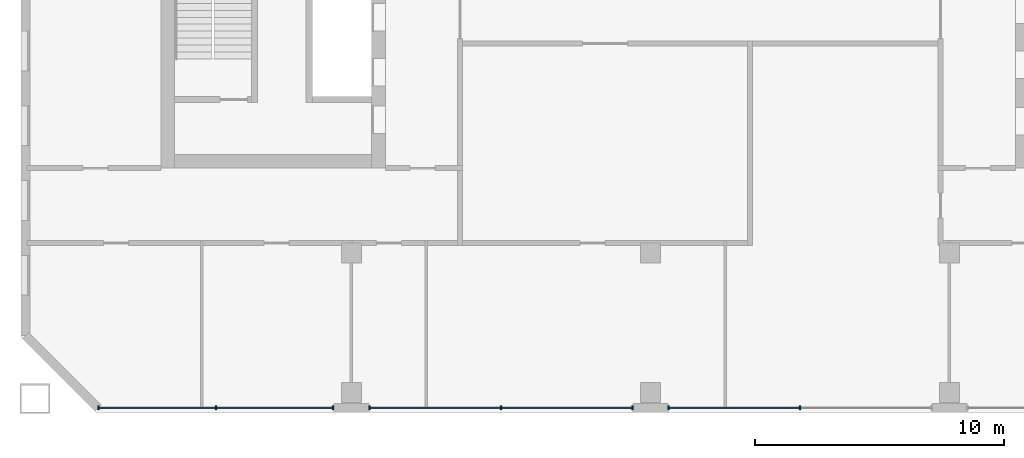
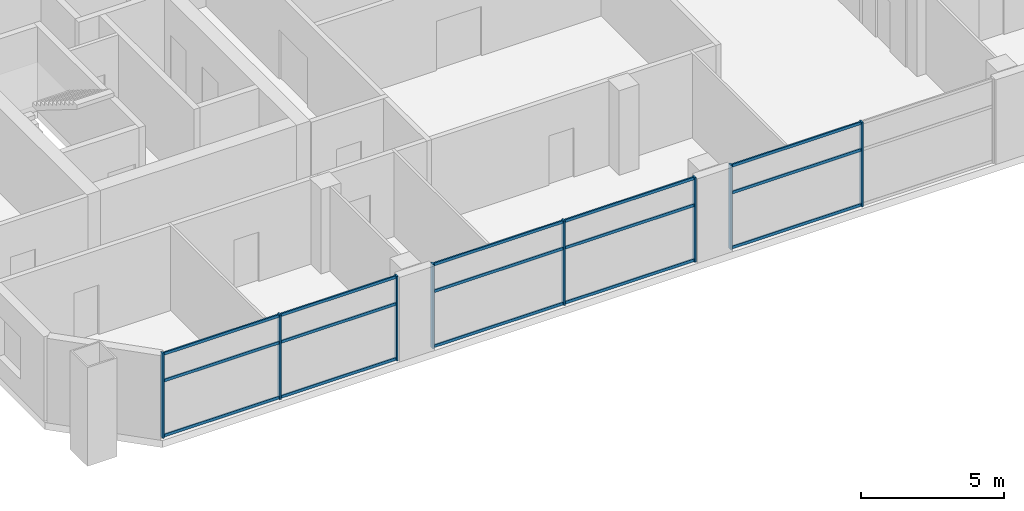
# One storey, part 2 of 17: 23 members, 3 elements without a shape of their own.
"""IFC4 building model written with IfcOpenShell, lengths in metres."""

from ifc_helpers import new_model, si_unit, direction, frame, origin, origin_2d, place, context, subcontext, project, spatial, rectangle, extrude, material, material_profile, profile_set, type_object, element, aggregate, save


model = new_model("IFC4")

# Units and contexts
model_context = context("Model", 3, precision=1e-05, world=origin(), true_north=direction((0.0, 1.0)))
body_context = subcontext(model_context, "Body", "Model", "MODEL_VIEW")
ifc_project = project(units=[si_unit("LENGTHUNIT", "METRE"), si_unit("AREAUNIT", "SQUARE_METRE"), si_unit("VOLUMEUNIT", "CUBIC_METRE"), si_unit("PLANEANGLEUNIT", "RADIAN"), si_unit("MASSUNIT", "GRAM", prefix="KILO")], contexts=[model_context])

# Site, building, storey
site_placement = place(None, origin())
site = spatial("IfcSite", under=ifc_project, at=site_placement, CompositionType="ELEMENT")
building_placement = place(site_placement, origin())
building = spatial("IfcBuilding", under=site, at=building_placement, Name="Tuart Gate Housing", CompositionType="ELEMENT")
storey_placement = place(building_placement, frame((0.0, 0.0, 119.5)))
storey = spatial("IfcBuildingStorey", under=building, at=storey_placement, Name="L33", CompositionType="ELEMENT", Elevation=119.5)

# Curtain wall, members
ifc_material_1 = material(Name="Aluminium and clear glass", Category="aluminium")
curtain_wall_type = type_object("IfcCurtainWallType", Name="Community floor glazing", PredefinedType="USERDEFINED", material=ifc_material_1)
curtain_wall_1_placement = place(storey_placement, origin())
curtain_wall_1 = element("IfcCurtainWall", 1, at=curtain_wall_1_placement, inside=storey, type_object=curtain_wall_type, Name="Community floor glazing A-S L33", ObjectType="COMMUNITY FLOOR GLAZING", PredefinedType="USERDEFINED")
ifc_material_2 = material(Name="Anodised aluminium", Category="aluminium")
ifc_material_profile_1 = material_profile(ifc_material_2, rectangle(XDim=0.06005859375, YDim=0.159912109375, at=origin_2d()), Name="60x160")
ifc_profile_set_1 = profile_set([ifc_material_profile_1], Name="Anodised aluminium")
member_type_1 = type_object("IfcMemberType", Name="Mullion 60 x 160", PredefinedType="MULLION", material=ifc_profile_set_1)
member_1_placement = place(storey_placement, frame((29.8544921875, 54.179931640625, 0.0), z_axis=(0.0, 0.0, 1.0), x_axis=(1.0, 0.0, 0.0)))
member_1 = element("IfcMember", 2, at=member_1_placement, type_object=member_type_1, Name="CW3 mullion 1", PredefinedType="MULLION", context=body_context, shape_type="SweptSolid", body=[
    extrude(rectangle(XDim=0.06005859375, YDim=0.159912109375, at=origin_2d()), origin(), (0.0, 0.0, 1.0), 3.60009765625),
])
member_2_placement = place(storey_placement, frame((34.562255859375, 54.179931640625, 0.0), z_axis=(0.0, 0.0, 1.0), x_axis=(1.0, 0.0, 0.0)))
member_2 = element("IfcMember", 3, at=member_2_placement, type_object=member_type_1, Name="CW3 mullion 2", PredefinedType="MULLION", context=body_context, shape_type="SweptSolid", body=[
    extrude(rectangle(XDim=0.06005859375, YDim=0.159912109375, at=origin_2d()), origin(), (0.0, 0.0, 1.0), 3.60009765625),
])
member_3_placement = place(storey_placement, frame((39.27001953125, 54.179931640625, 0.0), z_axis=(0.0, 0.0, 1.0), x_axis=(1.0, 0.0, 0.0)))
member_3 = element("IfcMember", 4, at=member_3_placement, type_object=member_type_1, Name="CW3 mullion 3", PredefinedType="MULLION", context=body_context, shape_type="SweptSolid", body=[
    extrude(rectangle(XDim=0.06005859375, YDim=0.159912109375, at=origin_2d()), origin(), (0.0, 0.0, 1.0), 3.60009765625),
])

curtain_wall_2_placement = place(storey_placement, origin())
curtain_wall_2 = element("IfcCurtainWall", 5, at=curtain_wall_2_placement, inside=storey, type_object=curtain_wall_type, Name="Community floor glazing A-S L33", ObjectType="COMMUNITY FLOOR GLAZING", PredefinedType="USERDEFINED")
member_4_placement = place(storey_placement, frame((40.72998046875, 54.179931640625, 0.0), z_axis=(0.0, 0.0, 1.0), x_axis=(1.0, 0.0, 0.0)))
member_4 = element("IfcMember", 6, at=member_4_placement, type_object=member_type_1, Name="CW3 mullion 1", PredefinedType="MULLION", context=body_context, shape_type="SweptSolid", body=[
    extrude(rectangle(XDim=0.06005859375, YDim=0.159912109375, at=origin_2d()), origin(), (0.0, 0.0, 1.0), 3.60009765625),
])
member_5_placement = place(storey_placement, frame((46.0, 54.179931640625, 0.0), z_axis=(0.0, 0.0, 1.0), x_axis=(1.0, 0.0, 0.0)))
member_5 = element("IfcMember", 7, at=member_5_placement, type_object=member_type_1, Name="CW3 mullion 2", PredefinedType="MULLION", context=body_context, shape_type="SweptSolid", body=[
    extrude(rectangle(XDim=0.06005859375, YDim=0.159912109375, at=origin_2d()), origin(), (0.0, 0.0, 1.0), 3.60009765625),
])
member_6_placement = place(storey_placement, frame((51.27001953125, 54.179931640625, 0.0), z_axis=(0.0, 0.0, 1.0), x_axis=(1.0, 0.0, 0.0)))
member_6 = element("IfcMember", 8, at=member_6_placement, type_object=member_type_1, Name="CW3 mullion 3", PredefinedType="MULLION", context=body_context, shape_type="SweptSolid", body=[
    extrude(rectangle(XDim=0.06005859375, YDim=0.159912109375, at=origin_2d()), origin(), (0.0, 0.0, 1.0), 3.60009765625),
])

curtain_wall_3_placement = place(storey_placement, origin())
curtain_wall_3 = element("IfcCurtainWall", 9, at=curtain_wall_3_placement, inside=storey, type_object=curtain_wall_type, Name="Community floor glazing A-S L33", ObjectType="COMMUNITY FLOOR GLAZING", PredefinedType="USERDEFINED")
member_7_placement = place(storey_placement, frame((52.72998046875, 54.179931640625, 0.0), z_axis=(0.0, 0.0, 1.0), x_axis=(1.0, 0.0, 0.0)))
member_7 = element("IfcMember", 10, at=member_7_placement, type_object=member_type_1, Name="CW3 mullion 1", PredefinedType="MULLION", context=body_context, shape_type="SweptSolid", body=[
    extrude(rectangle(XDim=0.06005859375, YDim=0.159912109375, at=origin_2d()), origin(), (0.0, 0.0, 1.0), 3.60009765625),
])
member_8_placement = place(storey_placement, frame((58.0, 54.179931640625, 0.0), z_axis=(0.0, 0.0, 1.0), x_axis=(1.0, 0.0, 0.0)))
member_8 = element("IfcMember", 11, at=member_8_placement, type_object=member_type_1, Name="CW3 mullion 2", PredefinedType="MULLION", context=body_context, shape_type="SweptSolid", body=[
    extrude(rectangle(XDim=0.06005859375, YDim=0.159912109375, at=origin_2d()), origin(), (0.0, 0.0, 1.0), 3.60009765625),
])

# Member
ifc_material_3 = material(Name="Anodised aluminium", Category="aluminium")
ifc_material_profile_2 = material_profile(ifc_material_3, rectangle(XDim=0.06005859375, YDim=0.1201171875, at=origin_2d()), Name="60x120")
ifc_profile_set_2 = profile_set([ifc_material_profile_2], Name="Anodised aluminium")
member_type_2 = type_object("IfcMemberType", Name="Transom 60 x 120", PredefinedType="USERDEFINED", material=ifc_profile_set_2)
member_9_placement = place(storey_placement, frame((29.884521484375, 54.179931640625, 0.06005859375), z_axis=(1.0, 0.0, 0.0), x_axis=(0.0, 1.0, 0.0)))
member_9 = element("IfcMember", 12, at=member_9_placement, type_object=member_type_2, Name="CW3 transom 1.1", ObjectType="TRANSOM", PredefinedType="USERDEFINED", context=body_context, shape_type="SweptSolid", body=[
    extrude(rectangle(XDim=0.06005859375, YDim=0.1201171875, at=origin_2d()), origin(), (0.0, 0.0, 1.0), 4.647705078125),
])

member_10_placement = place(storey_placement, frame((29.884521484375, 54.179931640625, 2.39990234375), z_axis=(1.0, 0.0, 0.0), x_axis=(0.0, 1.0, 0.0)))
member_10 = element("IfcMember", 13, at=member_10_placement, type_object=member_type_2, Name="CW3 transom 1.2", ObjectType="TRANSOM", PredefinedType="USERDEFINED", context=body_context, shape_type="SweptSolid", body=[
    extrude(rectangle(XDim=0.06005859375, YDim=0.1201171875, at=origin_2d()), origin(), (0.0, 0.0, 1.0), 4.647705078125),
])

member_11_placement = place(storey_placement, frame((29.884521484375, 54.179931640625, 3.5400390625), z_axis=(1.0, 0.0, 0.0), x_axis=(0.0, 1.0, 0.0)))
member_11 = element("IfcMember", 14, at=member_11_placement, type_object=member_type_2, Name="CW3 transom 1.3", ObjectType="TRANSOM", PredefinedType="USERDEFINED", context=body_context, shape_type="SweptSolid", body=[
    extrude(rectangle(XDim=0.06005859375, YDim=0.1201171875, at=origin_2d()), origin(), (0.0, 0.0, 1.0), 4.647705078125),
])

member_12_placement = place(storey_placement, frame((34.59228515625, 54.179931640625, 0.06005859375), z_axis=(1.0, 0.0, 0.0), x_axis=(0.0, 1.0, 0.0)))
member_12 = element("IfcMember", 15, at=member_12_placement, type_object=member_type_2, Name="CW3 transom 2.1", ObjectType="TRANSOM", PredefinedType="USERDEFINED", context=body_context, shape_type="SweptSolid", body=[
    extrude(rectangle(XDim=0.06005859375, YDim=0.1201171875, at=origin_2d()), origin(), (0.0, 0.0, 1.0), 4.647705078125),
])

member_13_placement = place(storey_placement, frame((34.59228515625, 54.179931640625, 2.39990234375), z_axis=(1.0, 0.0, 0.0), x_axis=(0.0, 1.0, 0.0)))
member_13 = element("IfcMember", 16, at=member_13_placement, type_object=member_type_2, Name="CW3 transom 2.2", ObjectType="TRANSOM", PredefinedType="USERDEFINED", context=body_context, shape_type="SweptSolid", body=[
    extrude(rectangle(XDim=0.06005859375, YDim=0.1201171875, at=origin_2d()), origin(), (0.0, 0.0, 1.0), 4.647705078125),
])

member_14_placement = place(storey_placement, frame((34.59228515625, 54.179931640625, 3.5400390625), z_axis=(1.0, 0.0, 0.0), x_axis=(0.0, 1.0, 0.0)))
member_14 = element("IfcMember", 17, at=member_14_placement, type_object=member_type_2, Name="CW3 transom 2.3", ObjectType="TRANSOM", PredefinedType="USERDEFINED", context=body_context, shape_type="SweptSolid", body=[
    extrude(rectangle(XDim=0.06005859375, YDim=0.1201171875, at=origin_2d()), origin(), (0.0, 0.0, 1.0), 4.647705078125),
])

aggregate(curtain_wall_1, [member_1, member_2, member_3, member_9, member_10, member_11, member_12, member_13, member_14])

member_15_placement = place(storey_placement, frame((40.760009765625, 54.179931640625, 0.06005859375), z_axis=(1.0, 0.0, 0.0), x_axis=(0.0, 1.0, 0.0)))
member_15 = element("IfcMember", 18, at=member_15_placement, type_object=member_type_2, Name="CW3 transom 1.1", ObjectType="TRANSOM", PredefinedType="USERDEFINED", context=body_context, shape_type="SweptSolid", body=[
    extrude(rectangle(XDim=0.06005859375, YDim=0.1201171875, at=origin_2d()), origin(), (0.0, 0.0, 1.0), 5.2099609375),
])

member_16_placement = place(storey_placement, frame((40.760009765625, 54.179931640625, 2.39990234375), z_axis=(1.0, 0.0, 0.0), x_axis=(0.0, 1.0, 0.0)))
member_16 = element("IfcMember", 19, at=member_16_placement, type_object=member_type_2, Name="CW3 transom 1.2", ObjectType="TRANSOM", PredefinedType="USERDEFINED", context=body_context, shape_type="SweptSolid", body=[
    extrude(rectangle(XDim=0.06005859375, YDim=0.1201171875, at=origin_2d()), origin(), (0.0, 0.0, 1.0), 5.2099609375),
])

member_17_placement = place(storey_placement, frame((40.760009765625, 54.179931640625, 3.5400390625), z_axis=(1.0, 0.0, 0.0), x_axis=(0.0, 1.0, 0.0)))
member_17 = element("IfcMember", 20, at=member_17_placement, type_object=member_type_2, Name="CW3 transom 1.3", ObjectType="TRANSOM", PredefinedType="USERDEFINED", context=body_context, shape_type="SweptSolid", body=[
    extrude(rectangle(XDim=0.06005859375, YDim=0.1201171875, at=origin_2d()), origin(), (0.0, 0.0, 1.0), 5.2099609375),
])

member_18_placement = place(storey_placement, frame((46.030029296875, 54.179931640625, 0.06005859375), z_axis=(1.0, 0.0, 0.0), x_axis=(0.0, 1.0, 0.0)))
member_18 = element("IfcMember", 21, at=member_18_placement, type_object=member_type_2, Name="CW3 transom 2.1", ObjectType="TRANSOM", PredefinedType="USERDEFINED", context=body_context, shape_type="SweptSolid", body=[
    extrude(rectangle(XDim=0.06005859375, YDim=0.1201171875, at=origin_2d()), origin(), (0.0, 0.0, 1.0), 5.2099609375),
])

member_19_placement = place(storey_placement, frame((46.030029296875, 54.179931640625, 2.39990234375), z_axis=(1.0, 0.0, 0.0), x_axis=(0.0, 1.0, 0.0)))
member_19 = element("IfcMember", 22, at=member_19_placement, type_object=member_type_2, Name="CW3 transom 2.2", ObjectType="TRANSOM", PredefinedType="USERDEFINED", context=body_context, shape_type="SweptSolid", body=[
    extrude(rectangle(XDim=0.06005859375, YDim=0.1201171875, at=origin_2d()), origin(), (0.0, 0.0, 1.0), 5.2099609375),
])

member_20_placement = place(storey_placement, frame((46.030029296875, 54.179931640625, 3.5400390625), z_axis=(1.0, 0.0, 0.0), x_axis=(0.0, 1.0, 0.0)))
member_20 = element("IfcMember", 23, at=member_20_placement, type_object=member_type_2, Name="CW3 transom 2.3", ObjectType="TRANSOM", PredefinedType="USERDEFINED", context=body_context, shape_type="SweptSolid", body=[
    extrude(rectangle(XDim=0.06005859375, YDim=0.1201171875, at=origin_2d()), origin(), (0.0, 0.0, 1.0), 5.2099609375),
])

aggregate(curtain_wall_2, [member_4, member_5, member_6, member_15, member_16, member_17, member_18, member_19, member_20])

member_21_placement = place(storey_placement, frame((52.760009765625, 54.179931640625, 0.06005859375), z_axis=(1.0, 0.0, 0.0), x_axis=(0.0, 1.0, 0.0)))
member_21 = element("IfcMember", 24, at=member_21_placement, type_object=member_type_2, Name="CW3 transom 1.1", ObjectType="TRANSOM", PredefinedType="USERDEFINED", context=body_context, shape_type="SweptSolid", body=[
    extrude(rectangle(XDim=0.06005859375, YDim=0.1201171875, at=origin_2d()), origin(), (0.0, 0.0, 1.0), 5.2099609375),
])

member_22_placement = place(storey_placement, frame((52.760009765625, 54.179931640625, 2.39990234375), z_axis=(1.0, 0.0, 0.0), x_axis=(0.0, 1.0, 0.0)))
member_22 = element("IfcMember", 25, at=member_22_placement, type_object=member_type_2, Name="CW3 transom 1.2", ObjectType="TRANSOM", PredefinedType="USERDEFINED", context=body_context, shape_type="SweptSolid", body=[
    extrude(rectangle(XDim=0.06005859375, YDim=0.1201171875, at=origin_2d()), origin(), (0.0, 0.0, 1.0), 5.2099609375),
])

member_23_placement = place(storey_placement, frame((52.760009765625, 54.179931640625, 3.5400390625), z_axis=(1.0, 0.0, 0.0), x_axis=(0.0, 1.0, 0.0)))
member_23 = element("IfcMember", 26, at=member_23_placement, type_object=member_type_2, Name="CW3 transom 1.3", ObjectType="TRANSOM", PredefinedType="USERDEFINED", context=body_context, shape_type="SweptSolid", body=[
    extrude(rectangle(XDim=0.06005859375, YDim=0.1201171875, at=origin_2d()), origin(), (0.0, 0.0, 1.0), 5.2099609375),
])

aggregate(curtain_wall_3, [member_7, member_8, member_21, member_22, member_23])

save(model, "model.ifc")
